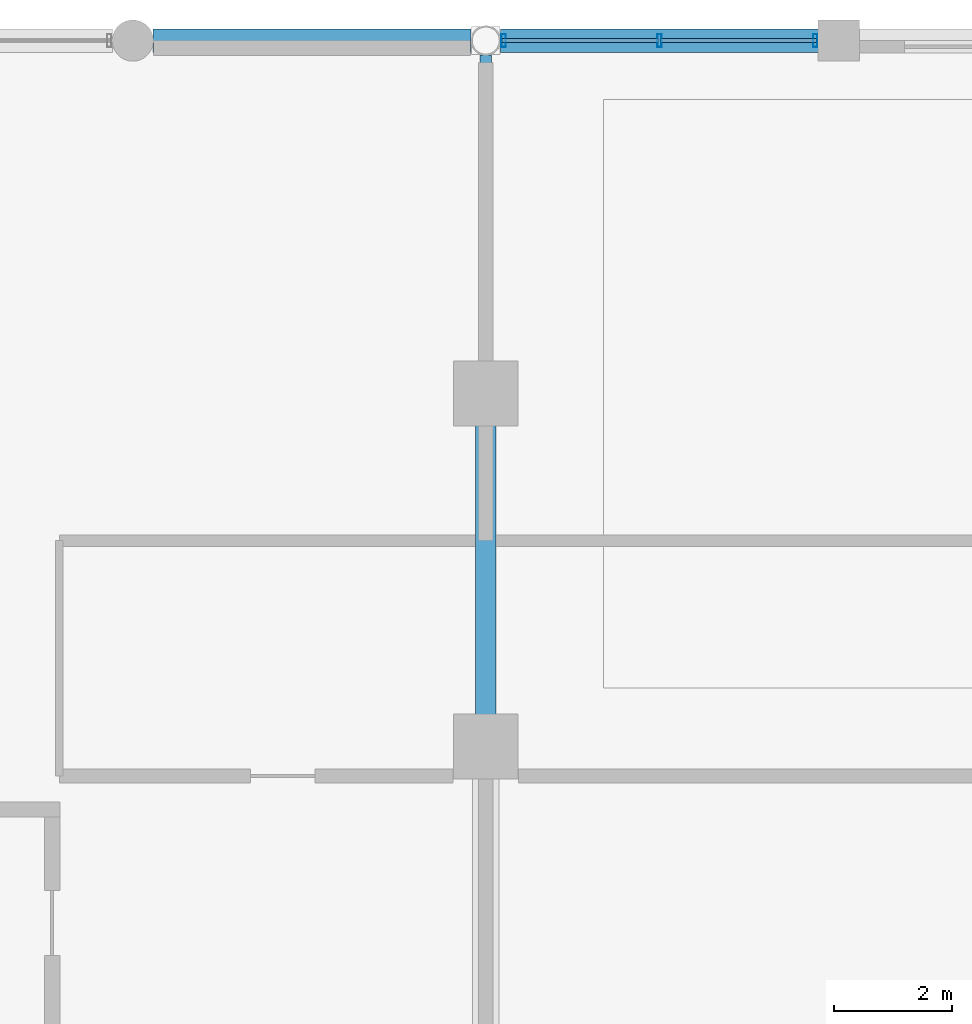
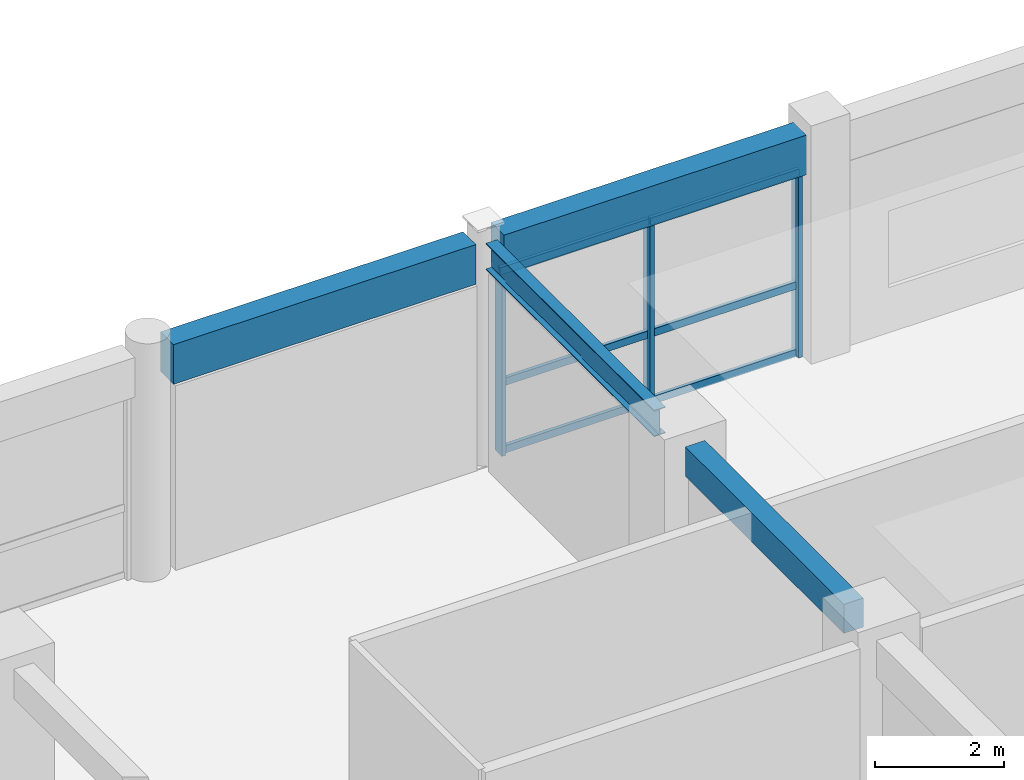
# One storey, part 37 of 116: 9 members, 4 beams, 1 element without a shape of its own.
"""IFC4 building model written with IfcOpenShell, lengths in metres."""

from ifc_helpers import new_model, si_unit, direction, frame, origin, origin_2d, place, context, subcontext, project, spatial, rectangle, hollow_rectangle, i_section, extrude, material, material_profile, profile_set, type_object, element, aggregate, save


model = new_model("IFC4")

# Units and contexts
model_context = context("Model", 3, precision=1e-05, world=origin(), true_north=direction((0.0, 1.0)))
body_context = subcontext(model_context, "Body", "Model", "MODEL_VIEW")
ifc_project = project(units=[si_unit("LENGTHUNIT", "METRE"), si_unit("AREAUNIT", "SQUARE_METRE"), si_unit("VOLUMEUNIT", "CUBIC_METRE"), si_unit("PLANEANGLEUNIT", "RADIAN"), si_unit("MASSUNIT", "GRAM", prefix="KILO"), si_unit("THERMODYNAMICTEMPERATUREUNIT", "KELVIN"), si_unit("POWERUNIT", "WATT")], contexts=[model_context])

# Site, building, storey
site_placement = place(None, origin())
site = spatial("IfcSite", under=ifc_project, at=site_placement, CompositionType="ELEMENT")
building_placement = place(site_placement, origin())
building = spatial("IfcBuilding", under=site, at=building_placement, Name="Phaisarnlok Congress Hotel", CompositionType="ELEMENT")
storey_placement = place(building_placement, frame((0.0, 0.0, 10.5)))
storey = spatial("IfcBuildingStorey", under=building, at=storey_placement, Name="L02", CompositionType="ELEMENT", Elevation=10.5)

# Beams
ifc_material_1 = material(Name="Concrete C40/50", Category="concrete")
ifc_material_profile_1 = material_profile(ifc_material_1, rectangle(XDim=0.35009765625, YDim=0.550048828125, at=origin_2d()), Name="RC 350x550")
ifc_profile_set_1 = profile_set([ifc_material_profile_1], Name="Concrete C40/50")
beam_type_1 = type_object("IfcBeamType", Name="BM-RC-350x550", PredefinedType="BEAM", material=ifc_profile_set_1)
beam_1_placement = place(storey_placement, frame((84.0, 114.544921875, 3.965087890625), z_axis=(0.0, 1.0, 0.0), x_axis=(-1.0, 0.0, 0.0)))
element("IfcBeam", 1, at=beam_1_placement, inside=storey, type_object=beam_type_1, Name="Beam B-01", PredefinedType="BEAM", context=body_context, shape_type="SweptSolid", body=[
    extrude(rectangle(XDim=0.35009765625, YDim=0.550048828125, at=origin_2d()), origin(), (0.0, 0.0, 1.0), 4.91015625),
])
ifc_material_2 = material(Name="Steel S355", Category="steel")
ifc_material_profile_2 = material_profile(ifc_material_2, i_section(OverallWidth=0.199951171875, OverallDepth=0.5, WebThickness=0.01025390625, FlangeThickness=0.01611328125, FilletRadius=0.02099609375, at=origin_2d()), Name="IPE 500")
ifc_profile_set_2 = profile_set([ifc_material_profile_2], Name="Steel S355")
beam_type_2 = type_object("IfcBeamType", Name="BM-STL-IPE500", PredefinedType="BEAM", material=ifc_profile_set_2)
beam_2_placement = place(storey_placement, frame((84.0, 120.544921875, 3.989990234375), z_axis=(0.0, 1.0, 0.0), x_axis=(-1.0, 0.0, 0.0)))
element("IfcBeam", 2, at=beam_2_placement, inside=storey, type_object=beam_type_2, Name="Beam SB-02", PredefinedType="BEAM", context=body_context, shape_type="SweptSolid", body=[
    extrude(i_section(OverallWidth=0.199951171875, OverallDepth=0.5, WebThickness=0.01025390625, FlangeThickness=0.01611328125, FilletRadius=0.02099609375, at=origin_2d()), origin(), (0.0, 0.0, 1.0), 5.2060546875),
])

# Curtain wall, members
ifc_material_3 = material(Name="Thermally Broken Unitised Aluminium & Low-E Glazing", Category="aluminium")
curtain_wall_type = type_object("IfcCurtainWallType", Name="CW-UNIT-17", PredefinedType="NOTDEFINED", material=ifc_material_3)
curtain_wall_placement = place(storey_placement, origin())
curtain_wall = element("IfcCurtainWall", 3, at=curtain_wall_placement, inside=storey, type_object=curtain_wall_type, Name="Unitised curtain wall CW-17 (L02)", PredefinedType="NOTDEFINED")
ifc_material_4 = material(Name="Anodised Aluminium Alloy 6063-T6", Category="aluminium")
ifc_material_profile_3 = material_profile(ifc_material_4, hollow_rectangle(XDim=0.074951171875, YDim=0.219970703125, WallThickness=0.0048828125, at=origin_2d()), Name="ALU-M 75x220x5")
ifc_profile_set_3 = profile_set([ifc_material_profile_3], Name="Anodised Aluminium Alloy 6063-T6")
member_type_1 = type_object("IfcMemberType", Name="CWM-220", PredefinedType="MULLION", material=ifc_profile_set_3)
member_1_placement = place(storey_placement, frame((89.60009765625, 126.0, 0.0), z_axis=(0.0, 0.0, 1.0), x_axis=(-1.0, 0.0, 0.0)))
member_1 = element("IfcMember", 4, at=member_1_placement, type_object=member_type_1, Name="Curtain wall mullion CWM-02", PredefinedType="MULLION", context=body_context, shape_type="SweptSolid", body=[
    extrude(hollow_rectangle(XDim=0.074951171875, YDim=0.219970703125, WallThickness=0.0048828125, at=origin_2d()), origin(), (0.0, 0.0, 1.0), 3.489990234375),
])
member_2_placement = place(storey_placement, frame((86.951904296875, 126.0, 0.0), z_axis=(0.0, 0.0, 1.0), x_axis=(-1.0, 0.0, 0.0)))
member_2 = element("IfcMember", 5, at=member_2_placement, type_object=member_type_1, Name="Curtain wall mullion CWM-02", PredefinedType="MULLION", context=body_context, shape_type="SweptSolid", body=[
    extrude(hollow_rectangle(XDim=0.074951171875, YDim=0.219970703125, WallThickness=0.0048828125, at=origin_2d()), origin(), (0.0, 0.0, 1.0), 3.489990234375),
])
member_3_placement = place(storey_placement, frame((84.303955078125, 126.0, 0.0), z_axis=(0.0, 0.0, 1.0), x_axis=(-1.0, 0.0, 0.0)))
member_3 = element("IfcMember", 6, at=member_3_placement, type_object=member_type_1, Name="Curtain wall mullion CWM-02", PredefinedType="MULLION", context=body_context, shape_type="SweptSolid", body=[
    extrude(hollow_rectangle(XDim=0.074951171875, YDim=0.219970703125, WallThickness=0.0048828125, at=origin_2d()), origin(), (0.0, 0.0, 1.0), 3.489990234375),
])
ifc_material_profile_4 = material_profile(ifc_material_4, hollow_rectangle(XDim=0.06494140625, YDim=0.139892578125, WallThickness=0.00390625, at=origin_2d()), Name="ALU-T 65x140x4")
ifc_profile_set_4 = profile_set([ifc_material_profile_4], Name="Anodised Aluminium Alloy 6063-T6")
member_type_2 = type_object("IfcMemberType", Name="CWT-150", PredefinedType="USERDEFINED", material=ifc_profile_set_4)
member_4_placement = place(storey_placement, frame((89.625, 126.0, 0.050048828125), z_axis=(-1.0, 0.0, 0.0), x_axis=(0.0, -1.0, 0.0)))
member_4 = element("IfcMember", 7, at=member_4_placement, type_object=member_type_2, Name="Curtain wall transom CWT-01", ObjectType="TRANSOM", PredefinedType="USERDEFINED", context=body_context, shape_type="SweptSolid", body=[
    extrude(hollow_rectangle(XDim=0.06494140625, YDim=0.139892578125, WallThickness=0.00390625, at=origin_2d()), origin(), (0.0, 0.0, 1.0), 2.657958984375),
])
member_5_placement = place(storey_placement, frame((89.625, 126.0, 1.326171875), z_axis=(-1.0, 0.0, 0.0), x_axis=(0.0, -1.0, 0.0)))
member_5 = element("IfcMember", 8, at=member_5_placement, type_object=member_type_2, Name="Curtain wall transom CWT-01", ObjectType="TRANSOM", PredefinedType="USERDEFINED", context=body_context, shape_type="SweptSolid", body=[
    extrude(hollow_rectangle(XDim=0.06494140625, YDim=0.139892578125, WallThickness=0.00390625, at=origin_2d()), origin(), (0.0, 0.0, 1.0), 2.657958984375),
])
member_6_placement = place(storey_placement, frame((89.625, 126.0, 3.43994140625), z_axis=(-1.0, 0.0, 0.0), x_axis=(0.0, -1.0, 0.0)))
member_6 = element("IfcMember", 9, at=member_6_placement, type_object=member_type_2, Name="Curtain wall transom CWT-01", ObjectType="TRANSOM", PredefinedType="USERDEFINED", context=body_context, shape_type="SweptSolid", body=[
    extrude(hollow_rectangle(XDim=0.06494140625, YDim=0.139892578125, WallThickness=0.00390625, at=origin_2d()), origin(), (0.0, 0.0, 1.0), 2.657958984375),
])
member_7_placement = place(storey_placement, frame((86.93701171875, 126.0, 0.050048828125), z_axis=(-1.0, 0.0, 0.0), x_axis=(0.0, -1.0, 0.0)))
member_7 = element("IfcMember", 10, at=member_7_placement, type_object=member_type_2, Name="Curtain wall transom CWT-01", ObjectType="TRANSOM", PredefinedType="USERDEFINED", context=body_context, shape_type="SweptSolid", body=[
    extrude(hollow_rectangle(XDim=0.06494140625, YDim=0.139892578125, WallThickness=0.00390625, at=origin_2d()), origin(), (0.0, 0.0, 1.0), 2.657958984375),
])
member_8_placement = place(storey_placement, frame((86.93701171875, 126.0, 1.326171875), z_axis=(-1.0, 0.0, 0.0), x_axis=(0.0, -1.0, 0.0)))
member_8 = element("IfcMember", 11, at=member_8_placement, type_object=member_type_2, Name="Curtain wall transom CWT-01", ObjectType="TRANSOM", PredefinedType="USERDEFINED", context=body_context, shape_type="SweptSolid", body=[
    extrude(hollow_rectangle(XDim=0.06494140625, YDim=0.139892578125, WallThickness=0.00390625, at=origin_2d()), origin(), (0.0, 0.0, 1.0), 2.657958984375),
])
member_9_placement = place(storey_placement, frame((86.93701171875, 126.0, 3.43994140625), z_axis=(-1.0, 0.0, 0.0), x_axis=(0.0, -1.0, 0.0)))
member_9 = element("IfcMember", 12, at=member_9_placement, type_object=member_type_2, Name="Curtain wall transom CWT-01", ObjectType="TRANSOM", PredefinedType="USERDEFINED", context=body_context, shape_type="SweptSolid", body=[
    extrude(hollow_rectangle(XDim=0.06494140625, YDim=0.139892578125, WallThickness=0.00390625, at=origin_2d()), origin(), (0.0, 0.0, 1.0), 2.657958984375),
])
aggregate(curtain_wall, [member_1, member_2, member_3, member_4, member_5, member_6, member_7, member_8, member_9])

# Beams
ifc_material_profile_5 = material_profile(ifc_material_1, rectangle(XDim=0.39990234375, YDim=0.75, at=origin_2d()), Name="RC 400x750")
ifc_profile_set_5 = profile_set([ifc_material_profile_5], Name="Concrete C40/50")
beam_type_3 = type_object("IfcBeamType", Name="SP-RC-400x750", PredefinedType="SPANDREL", material=ifc_profile_set_5)
for number, where, z_axis, x_axis, name in (
    (13, (78.344970703125, 126.0, 3.864990234375), (1.0, 0.0, 0.0), (0.0, 1.0, 0.0), "Beam SP-02"),
    (14, (84.2490234375, 126.0, 3.864990234375), (1.0, 0.0, 0.0), (0.0, 1.0, 0.0), "Beam SP-02"),
):
    element("IfcBeam", number, at=place(storey_placement, frame(where, z_axis=z_axis, x_axis=x_axis)), inside=storey, type_object=beam_type_3, Name=name, PredefinedType="SPANDREL", context=body_context, shape_type="SweptSolid", body=[
        extrude(rectangle(XDim=0.39990234375, YDim=0.75, at=origin_2d()), origin(), (0.0, 0.0, 1.0), 5.406005859375),
    ])

save(model, "model.ifc")
